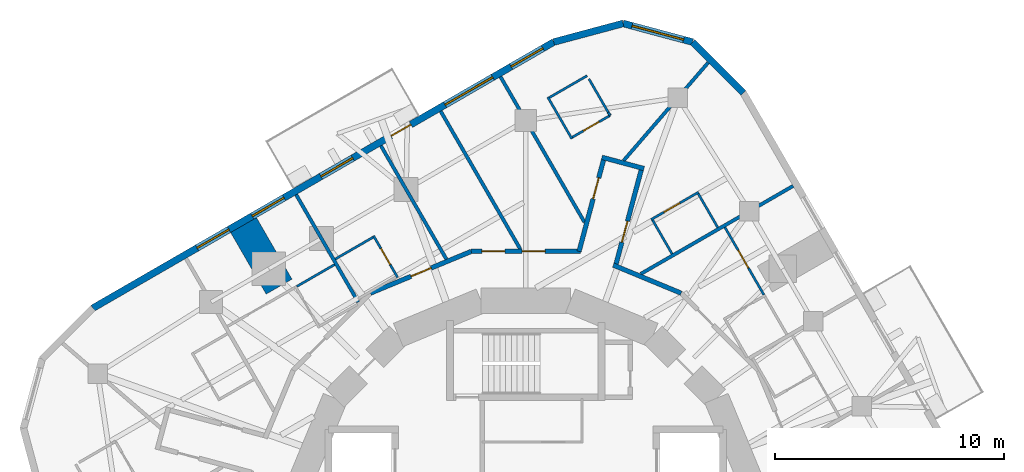
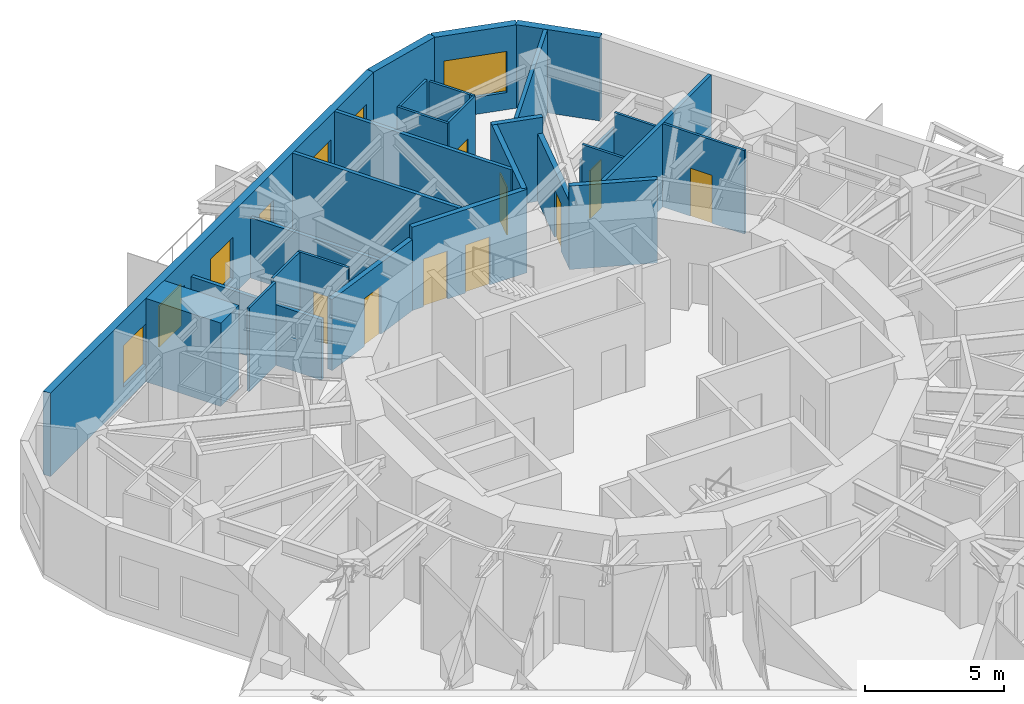
# One storey, part 9 of 12: 29 walls, 10 doors, 6 windows, 16 openings.
"""IFC4 building model written with IfcOpenShell, lengths in metres."""

import ifcopenshell
import ifcopenshell.guid

model = None  # the IFC model being written
_history = None  # IfcOwnerHistory: only IFC2X3 demands one
_inside = {}  # id of a spatial element -> (the spatial element, [elements in it])
_under = {}  # id of a project, library or spatial element -> (it, [spatial elements below it])
_declared = {}  # id of a project -> (the project, [libraries it declares])
_typed = {}  # id of a type object -> (the type object, [elements of that type])
_made_of = {}  # id of a material, layer set ... -> (it, [elements and type objects made of it])


def new_model(schema):
    """Start an empty IFC model of exactly this schema.

    Asked for "IFC4X3", IfcOpenShell would pick the latest addendum, in which some entities
    have other attributes; the version numbers below select the first issue.
    IFC2X3 requires an IfcOwnerHistory on every rooted entity: one is made here for all.
    """
    global model, _history
    if schema == "IFC4X3":
        model = ifcopenshell.file(schema_version=(4, 3, 0, 0))
    else:
        model = ifcopenshell.file(schema=schema)
    _inside.clear()
    _under.clear()
    _declared.clear()
    _typed.clear()
    _made_of.clear()
    _history = None
    if model.schema == "IFC2X3":
        org = make("IfcOrganization", Name="unknown")
        user = make(
            "IfcPersonAndOrganization",
            ThePerson=make("IfcPerson", FamilyName="unknown"),
            TheOrganization=org,
        )
        app = make(
            "IfcApplication",
            ApplicationDeveloper=org,
            Version="unknown",
            ApplicationFullName="unknown",
            ApplicationIdentifier="unknown",
        )
        _history = make(
            "IfcOwnerHistory",
            OwningUser=user,
            OwningApplication=app,
            ChangeAction="ADDED",
            CreationDate=0,
        )
    return model


def make(cls, **values):
    """One entity of the class cls with the attributes given. An attribute that is None is left unset."""
    return model.create_entity(
        cls, **{name: value for name, value in values.items() if value is not None}
    )


def rooted(cls, **values):
    """An entity with a GlobalId (a new one), such as an element, a storey or a relation."""
    return make(cls, GlobalId=ifcopenshell.guid.new(), OwnerHistory=_history, **values)


def si_unit(unit_type, name, prefix=None):
    """IfcSIUnit, for example si_unit("LENGTHUNIT", "METRE", prefix="MILLI")."""
    return make("IfcSIUnit", UnitType=unit_type, Prefix=prefix, Name=name)


def assignment(units):
    """IfcUnitAssignment: the units of a project."""
    return None if units is None else make("IfcUnitAssignment", Units=units)


def point(xyz):
    """IfcCartesianPoint."""
    return None if xyz is None else make("IfcCartesianPoint", Coordinates=xyz)


def direction(xyz):
    """IfcDirection."""
    return None if xyz is None else make("IfcDirection", DirectionRatios=xyz)


def frame(location, z_axis=None, x_axis=None):
    """IfcAxis2Placement3D, a coordinate frame: its origin and axes. An axis left out is left unset."""
    return make(
        "IfcAxis2Placement3D",
        Location=point(location),
        Axis=direction(z_axis),
        RefDirection=direction(x_axis),
    )


def frame_2d(location, x_axis=None):
    """IfcAxis2Placement2D, a coordinate frame in the plane: its origin and x axis."""
    return make(
        "IfcAxis2Placement2D", Location=point(location), RefDirection=direction(x_axis)
    )


def origin():
    """The frame at (0, 0, 0) with its axes left unset."""
    return frame((0.0, 0.0, 0.0))


def place(relative_to, where):
    """IfcLocalPlacement: puts the frame where relative to a parent placement (None: the world)."""
    return make(
        "IfcLocalPlacement", PlacementRelTo=relative_to, RelativePlacement=where
    )


def context(
    kind, dimensions, precision=None, world=None, true_north=None, identifier=None
):
    """IfcGeometricRepresentationContext, for example the 3D "Model" context."""
    return make(
        "IfcGeometricRepresentationContext",
        ContextIdentifier=identifier,
        ContextType=kind,
        CoordinateSpaceDimension=dimensions,
        Precision=precision,
        WorldCoordinateSystem=world,
        TrueNorth=true_north,
    )


def subcontext(parent, identifier, kind, view, scale=None):
    """IfcGeometricRepresentationSubContext, for example "Body" below "Model"."""
    return make(
        "IfcGeometricRepresentationSubContext",
        ContextIdentifier=identifier,
        ContextType=kind,
        ParentContext=parent,
        TargetScale=scale,
        TargetView=view,
    )


def project(units=None, contexts=None):
    """IfcProject with its units and contexts."""
    return rooted(
        "IfcProject",
        Name="project",
        RepresentationContexts=contexts,
        UnitsInContext=assignment(units),
    )


def spatial(cls, under=None, at=None, **own):
    """A site, building, storey or space (cls), placed at a placement, below another one or the project."""
    s = rooted(cls, ObjectPlacement=at, **own)
    if under is not None:
        _under.setdefault(under.id(), (under, []))[1].append(s)
    return s


def profile(cls, at=None, kind="AREA", **sizes):
    """A parametric profile (cls). Its sizes go by their IFC names, for example OverallWidth=200.0."""
    return make(cls, ProfileType=kind, Position=at, **sizes)


def rectangle(**sizes):
    """IfcRectangleProfileDef."""
    return profile("IfcRectangleProfileDef", **sizes)


def extrude(swept, where, along, depth):
    """IfcExtrudedAreaSolid: the profile swept, set in the frame where, extruded along a direction by depth."""
    return make(
        "IfcExtrudedAreaSolid",
        SweptArea=swept,
        Position=where,
        ExtrudedDirection=direction(along),
        Depth=depth,
    )


def shape(context_of_items, identifier, shape_type, items):
    """IfcShapeRepresentation: the items that make up one representation, for example the "Body"."""
    return make(
        "IfcShapeRepresentation",
        ContextOfItems=context_of_items,
        RepresentationIdentifier=identifier,
        RepresentationType=shape_type,
        Items=items,
    )


def material(Name=None, Category=None):
    """IfcMaterial."""
    return make("IfcMaterial", Name=Name, Category=Category)


def layer(
    of_material, thickness, ventilated=None, Name=None, Category=None, Priority=None
):
    """IfcMaterialLayer: one layer of a wall or slab, of a material (None: an air gap)."""
    return make(
        "IfcMaterialLayer",
        Material=of_material,
        LayerThickness=thickness,
        IsVentilated=ventilated,
        Name=Name,
        Category=Category,
        Priority=Priority,
    )


def layer_set(layers, Name=None):
    """IfcMaterialLayerSet."""
    return make("IfcMaterialLayerSet", MaterialLayers=layers, LayerSetName=Name)


def made_of(thing, what):
    """Note that an element or type object is made of a material, layer set ...; save() writes the relation."""
    if what is not None:
        _made_of.setdefault(what.id(), (what, []))[1].append(thing)
    return thing


def type_object(cls, material=None, **own):
    """A type object (cls), such as IfcWallType, which elements share."""
    return made_of(rooted(cls, **own), material)


def element(
    cls,
    number,
    at=None,
    inside=None,
    cuts=None,
    type_object=None,
    material=None,
    context=None,
    identifier="Body",
    shape_type=None,
    held_by="IfcProductDefinitionShape",
    body=None,
    shapes=None,
    **own,
):
    """One element of the class cls, such as IfcWall. Its Tag is "e" and its number.

    at: its placement. inside: the storey or other place that contains it. cuts: it is an
    opening in that element (IfcRelVoidsElement). A single representation is given by context,
    identifier, shape_type and body (its items); several are given by shapes. held_by: the class
    of the entity that holds the representations. save() writes the other relations.
    """
    e = rooted(cls, Tag="e%d" % number, ObjectPlacement=at, **own)
    if body is not None:
        shapes = [shape(context, identifier, shape_type, body)]
    if shapes is not None:
        e.Representation = make(held_by, Representations=shapes)
    if inside is not None:
        _inside.setdefault(inside.id(), (inside, []))[1].append(e)
    if cuts is not None:
        rooted(
            "IfcRelVoidsElement", RelatingBuildingElement=cuts, RelatedOpeningElement=e
        )
    if type_object is not None:
        _typed.setdefault(type_object.id(), (type_object, []))[1].append(e)
    return made_of(e, material)


def fill(opening, filler):
    """IfcRelFillsElement: the door or window that sits in an opening."""
    return rooted(
        "IfcRelFillsElement",
        RelatingOpeningElement=opening,
        RelatedBuildingElement=filler,
    )


def aggregate(whole, parts):
    """IfcRelAggregates: a whole, such as a stair, and the parts it consists of."""
    return rooted("IfcRelAggregates", RelatingObject=whole, RelatedObjects=parts)


def save(model, path):
    """Write the relations noted so far, then the file.

    IfcRelAggregates (storeys below a building ...), IfcRelContainedInSpatialStructure (elements
    in a storey), IfcRelDefinesByType, IfcRelAssociatesMaterial and IfcRelDeclares: one each for
    every whole, place, type object, material and project.
    """
    for whole, parts in _under.values():
        aggregate(whole, parts)
    for where, things in _inside.values():
        rooted(
            "IfcRelContainedInSpatialStructure",
            RelatedElements=things,
            RelatingStructure=where,
        )
    for kind, things in _typed.values():
        rooted("IfcRelDefinesByType", RelatedObjects=things, RelatingType=kind)
    for what, things in _made_of.values():
        rooted("IfcRelAssociatesMaterial", RelatedObjects=things, RelatingMaterial=what)
    for by, libraries in _declared.values():
        rooted("IfcRelDeclares", RelatingContext=by, RelatedDefinitions=libraries)
    model.write(path)


model = new_model("IFC4")

# Units and contexts
model_context = context("Model", 3, precision=1e-05, world=origin(), true_north=direction((0.0, 1.0)))
body_context = subcontext(model_context, "Body", "Model", "MODEL_VIEW")
ifc_project = project(units=[si_unit("LENGTHUNIT", "METRE"), si_unit("AREAUNIT", "SQUARE_METRE"), si_unit("VOLUMEUNIT", "CUBIC_METRE"), si_unit("PLANEANGLEUNIT", "RADIAN"), si_unit("MASSUNIT", "GRAM", prefix="KILO")], contexts=[model_context])

# Site, building, storey
site_placement = place(None, origin())
site = spatial("IfcSite", under=ifc_project, at=site_placement, CompositionType="ELEMENT")
building_placement = place(site_placement, origin())
building = spatial("IfcBuilding", under=site, at=building_placement, Name="Nakasero Lantern House", CompositionType="ELEMENT")
storey_placement = place(building_placement, frame((0.0, 0.0, 226.949951171875)))
storey = spatial("IfcBuildingStorey", under=building, at=storey_placement, Name="L55", CompositionType="ELEMENT", Elevation=226.949951171875)

# Wall
ifc_material_1 = material(Name="Blockwork", Category="masonry")
ifc_layer_1 = layer(ifc_material_1, 1.300048828125)
ifc_layer_set_1 = layer_set([ifc_layer_1], Name="Column pier 1300")
wall_type_1 = type_object("IfcWallType", Name="Column pier 1300", PredefinedType="PARTITIONING", material=ifc_layer_set_1)
wall_1_placement = place(storey_placement, frame((-10.75048828125, 10.4208984375, 0.0), z_axis=(0.0, 0.0, 1.0), x_axis=(-0.499933790963, 0.866063626216, 0.0)))
element("IfcWall", 1, at=wall_1_placement, inside=storey, type_object=wall_type_1, Name="Column pier L55 PN1-05", PredefinedType="PARTITIONING", context=body_context, shape_type="SweptSolid", body=[
    extrude(rectangle(XDim=3.10009765625, YDim=1.300048828125, at=frame_2d((1.550048828125, 0.0))), origin(), (0.0, 0.0, 1.0), 3.650146484375),
])

# Wall, opening, door
ifc_material_2 = material(Name="Blockwork", Category="masonry")
ifc_layer_2 = layer(ifc_material_2, 0.199951171875)
ifc_layer_set_2 = layer_set([ifc_layer_2], Name="Corridor wall 200")
wall_type_2 = type_object("IfcWallType", Name="Corridor wall 200", PredefinedType="PARTITIONING", material=ifc_layer_set_2)
wall_2_placement = place(storey_placement, frame((-6.773681640625, 10.137451171875, 0.0), z_axis=(0.0, 0.0, 1.0), x_axis=(0.923891735412, 0.382653970627, 0.0)))
wall_2 = element("IfcWall", 2, at=wall_2_placement, inside=storey, type_object=wall_type_2, Name="Corridor wall L55 RC11a", PredefinedType="PARTITIONING", context=body_context, shape_type="SweptSolid", body=[
    extrude(rectangle(XDim=4.757080078125, YDim=0.199951171875, at=frame_2d((2.37841796875, 0.0))), origin(), (0.0, 0.0, 1.0), 3.11328125),
])
opening_1_placement = place(wall_2_placement, frame((1.919921875, 0.0, 0.0)))
opening_1 = element("IfcOpeningElement", 3, at=opening_1_placement, cuts=wall_2, Name="Opening D01", PredefinedType="OPENING", context=body_context, shape_type="SweptSolid", body=[
    extrude(rectangle(XDim=0.949951171875, YDim=2.10009765625, at=frame_2d((0.47509765625, 1.050048828125))), frame((0.0, 0.119873046875, 0.0), z_axis=(0.0, -1.0, 0.0), x_axis=(1.0, 0.0, 0.0)), (0.0, 0.0, 1.0), 0.239990234375),
])
ifc_material_3 = material(Name="Timber C24", Category="wood")
door_type_1 = type_object("IfcDoorType", Name="Bedroom door FD30S 950", OperationType="SINGLE_SWING_LEFT", PredefinedType="DOOR", material=ifc_material_3)
door_1_placement = place(opening_1_placement, origin())
door_1 = element("IfcDoor", 4, at=door_1_placement, inside=storey, type_object=door_type_1, Name="Door L55 D1-03", OperationType="SINGLE_SWING_RIGHT", OverallHeight=2.10009765625, OverallWidth=0.949951171875, PredefinedType="DOOR", context=body_context, shape_type="SweptSolid", body=[
    extrude(rectangle(XDim=0.949951171875, YDim=2.10009765625, at=frame_2d((0.47509765625, 1.050048828125))), frame((0.0, 0.02490234375, 0.0), z_axis=(0.0, -1.0, 0.0), x_axis=(1.0, 0.0, 0.0)), (0.0, 0.0, 1.0), 0.050048828125),
])
fill(opening_1, door_1)

# Wall, openings, doors
wall_3_placement = place(storey_placement, frame((-2.378662109375, 11.957763671875, 0.0), z_axis=(0.0, 0.0, 1.0), x_axis=(1.0, 0.0, 0.0)))
wall_3 = element("IfcWall", 5, at=wall_3_placement, inside=storey, type_object=wall_type_2, Name="Corridor wall L55 RC12a", PredefinedType="PARTITIONING", context=body_context, shape_type="SweptSolid", body=[
    extrude(rectangle(XDim=4.75732421875, YDim=0.199951171875, at=frame_2d((2.378662109375, 0.0))), origin(), (0.0, 0.0, 1.0), 3.650146484375),
])
opening_2_placement = place(wall_3_placement, frame((2.219970703125, 0.0, 0.0)))
opening_2 = element("IfcOpeningElement", 6, at=opening_2_placement, cuts=wall_3, Name="Opening D03", PredefinedType="OPENING", context=body_context, shape_type="SweptSolid", body=[
    extrude(rectangle(XDim=1.0, YDim=2.10009765625, at=frame_2d((0.5, 1.050048828125))), frame((0.0, 0.119873046875, 0.0), z_axis=(0.0, -1.0, 0.0), x_axis=(1.0, 0.0, 0.0)), (0.0, 0.0, 1.0), 0.239990234375),
])
opening_3_placement = place(wall_3_placement, frame((0.469970703125, 0.0, 0.0)))
opening_3 = element("IfcOpeningElement", 7, at=opening_3_placement, cuts=wall_3, Name="Opening D03", PredefinedType="OPENING", context=body_context, shape_type="SweptSolid", body=[
    extrude(rectangle(XDim=1.0, YDim=2.10009765625, at=frame_2d((0.5, 1.050048828125))), frame((0.0, 0.119873046875, 0.0), z_axis=(0.0, -1.0, 0.0), x_axis=(1.0, 0.0, 0.0)), (0.0, 0.0, 1.0), 0.239990234375),
])
ifc_material_4 = material(Name="Timber C24", Category="wood")
door_type_2 = type_object("IfcDoorType", Name="Lounge door FD30S 1000", OperationType="SINGLE_SWING_LEFT", PredefinedType="DOOR", material=ifc_material_4)
door_2_placement = place(opening_2_placement, origin())
door_2 = element("IfcDoor", 8, at=door_2_placement, inside=storey, type_object=door_type_2, Name="Door L55 DK1", OperationType="SINGLE_SWING_RIGHT", OverallHeight=2.10009765625, OverallWidth=1.0, PredefinedType="DOOR", context=body_context, shape_type="SweptSolid", body=[
    extrude(rectangle(XDim=1.0, YDim=2.10009765625, at=frame_2d((0.5, 1.050048828125))), frame((0.0, 0.02490234375, 0.0), z_axis=(0.0, -1.0, 0.0), x_axis=(1.0, 0.0, 0.0)), (0.0, 0.0, 1.0), 0.050048828125),
])
fill(opening_2, door_2)
door_3_placement = place(opening_3_placement, origin())
door_3 = element("IfcDoor", 9, at=door_3_placement, inside=storey, type_object=door_type_2, Name="Door L55 DK1-1", OperationType="SINGLE_SWING_LEFT", OverallHeight=2.10009765625, OverallWidth=1.0, PredefinedType="DOOR", context=body_context, shape_type="SweptSolid", body=[
    extrude(rectangle(XDim=1.0, YDim=2.10009765625, at=frame_2d((0.5, 1.050048828125))), frame((0.0, 0.02490234375, 0.0), z_axis=(0.0, -1.0, 0.0), x_axis=(1.0, 0.0, 0.0)), (0.0, 0.0, 1.0), 0.050048828125),
])
fill(opening_3, door_3)

# Wall
wall_4_placement = place(storey_placement, frame((3.820556640625, 11.360595703125, 0.0), z_axis=(0.0, 0.0, 1.0), x_axis=(0.923888369431, -0.382662097458, 0.0)))
element("IfcWall", 10, at=wall_4_placement, inside=storey, type_object=wall_type_2, Name="Corridor wall L55 RC13b", PredefinedType="PARTITIONING", context=body_context, shape_type="SweptSolid", body=[
    extrude(rectangle(XDim=3.1962890625, YDim=0.199951171875, at=frame_2d((1.59814453125, 0.0))), origin(), (0.0, 0.0, 1.0), 3.650146484375),
])

# Wall, opening, door
wall_5_placement = place(storey_placement, frame((3.913818359375, 11.322021484375, 0.0), z_axis=(0.0, 0.0, 1.0), x_axis=(0.258777439659, 0.965936973474, 0.0)))
wall_5 = element("IfcWall", 11, at=wall_5_placement, inside=storey, type_object=wall_type_2, Name="Corridor wall L55 SP0a", PredefinedType="PARTITIONING", context=body_context, shape_type="SweptSolid", body=[
    extrude(rectangle(XDim=4.524658203125, YDim=0.199951171875, at=frame_2d((2.26220703125, 0.0))), origin(), (0.0, 0.0, 1.0), 2.95703125),
])
opening_4_placement = place(wall_5_placement, frame((1.070068359375, 0.0, 0.0)))
opening_4 = element("IfcOpeningElement", 12, at=opening_4_placement, cuts=wall_5, Name="Opening D01", PredefinedType="OPENING", context=body_context, shape_type="SweptSolid", body=[
    extrude(rectangle(XDim=0.949951171875, YDim=2.10009765625, at=frame_2d((0.47509765625, 1.050048828125))), frame((0.0, 0.119873046875, 0.0), z_axis=(0.0, -1.0, 0.0), x_axis=(1.0, 0.0, 0.0)), (0.0, 0.0, 1.0), 0.239990234375),
])
door_4_placement = place(opening_4_placement, origin())
door_4 = element("IfcDoor", 13, at=door_4_placement, inside=storey, type_object=door_type_1, Name="Door L55 D0-06", OperationType="SINGLE_SWING_LEFT", OverallHeight=2.10009765625, OverallWidth=0.949951171875, PredefinedType="DOOR", context=body_context, shape_type="SweptSolid", body=[
    extrude(rectangle(XDim=0.949951171875, YDim=2.10009765625, at=frame_2d((0.47509765625, 1.050048828125))), frame((0.0, 0.02490234375, 0.0), z_axis=(0.0, -1.0, 0.0), x_axis=(1.0, 0.0, 0.0)), (0.0, 0.0, 1.0), 0.050048828125),
])
fill(opening_4, door_4)

wall_6_placement = place(storey_placement, frame((2.32421875, 11.957763671875, 0.0), z_axis=(0.0, 0.0, 1.0), x_axis=(0.258769967576, 0.965938975236, 0.0)))
wall_6 = element("IfcWall", 14, at=wall_6_placement, inside=storey, type_object=wall_type_2, Name="Corridor wall L55 SP0b", PredefinedType="PARTITIONING", context=body_context, shape_type="SweptSolid", body=[
    extrude(rectangle(XDim=4.322021484375, YDim=0.199951171875, at=frame_2d((2.1611328125, 0.0))), origin(), (0.0, 0.0, 1.0), 3.650146484375),
])
opening_5_placement = place(wall_6_placement, frame((2.3701171875, 0.0, 0.0)))
opening_5 = element("IfcOpeningElement", 15, at=opening_5_placement, cuts=wall_6, Name="Opening D01", PredefinedType="OPENING", context=body_context, shape_type="SweptSolid", body=[
    extrude(rectangle(XDim=0.949951171875, YDim=2.10009765625, at=frame_2d((0.47509765625, 1.050048828125))), frame((0.0, 0.119873046875, 0.0), z_axis=(0.0, -1.0, 0.0), x_axis=(1.0, 0.0, 0.0)), (0.0, 0.0, 1.0), 0.239990234375),
])
door_5_placement = place(opening_5_placement, origin())
door_5 = element("IfcDoor", 16, at=door_5_placement, inside=storey, type_object=door_type_1, Name="Door L55 D1-00", OperationType="SINGLE_SWING_RIGHT", OverallHeight=2.10009765625, OverallWidth=0.949951171875, PredefinedType="DOOR", context=body_context, shape_type="SweptSolid", body=[
    extrude(rectangle(XDim=0.949951171875, YDim=2.10009765625, at=frame_2d((0.47509765625, 1.050048828125))), frame((0.0, 0.02490234375, 0.0), z_axis=(0.0, -1.0, 0.0), x_axis=(1.0, 0.0, 0.0)), (0.0, 0.0, 1.0), 0.050048828125),
])
fill(opening_5, door_5)

# Wall
wall_7_placement = place(storey_placement, frame((5.155517578125, 15.570068359375, 0.0), z_axis=(0.0, 0.0, 1.0), x_axis=(-0.96593141835, 0.258798174346, 0.0)))
element("IfcWall", 17, at=wall_7_placement, inside=storey, type_object=wall_type_2, Name="Corridor wall L55 SP0e", PredefinedType="PARTITIONING", context=body_context, shape_type="SweptSolid", body=[
    extrude(rectangle(XDim=1.89990234375, YDim=0.199951171875, at=frame_2d((0.949951171875, 0.0))), origin(), (0.0, 0.0, 1.0), 3.650146484375),
])

# Wall, opening, door
ifc_material_5 = material(Name="Blockwork", Category="masonry")
ifc_layer_3 = layer(ifc_material_5, 0.10009765625)
ifc_layer_set_3 = layer_set([ifc_layer_3], Name="En-suite wall 100")
wall_type_3 = type_object("IfcWallType", Name="En-suite wall 100", PredefinedType="PARTITIONING", material=ifc_layer_set_3)
wall_8_placement = place(storey_placement, frame((5.46044921875, 13.342041015625, 0.0), z_axis=(0.0, 0.0, 1.0), x_axis=(0.866006032174, 0.500033551112, 0.0)))
wall_8 = element("IfcWall", 18, at=wall_8_placement, inside=storey, type_object=wall_type_3, Name="En-suite wall L55 ES0-06", PredefinedType="PARTITIONING", context=body_context, shape_type="SweptSolid", body=[
    extrude(rectangle(XDim=2.400146484375, YDim=0.10009765625, at=frame_2d((1.2001953125, 0.0))), origin(), (0.0, 0.0, 1.0), 2.966552734375),
])
opening_6_placement = place(wall_8_placement, frame((0.64990234375, 0.0, 0.0)))
opening_6 = element("IfcOpeningElement", 19, at=opening_6_placement, cuts=wall_8, Name="Opening D02", PredefinedType="OPENING", context=body_context, shape_type="SweptSolid", body=[
    extrude(rectangle(XDim=0.800048828125, YDim=2.10009765625, at=frame_2d((0.39990234375, 1.050048828125))), frame((0.0, 0.070068359375, 0.0), z_axis=(0.0, -1.0, 0.0), x_axis=(1.0, 0.0, 0.0)), (0.0, 0.0, 1.0), 0.14013671875),
])
ifc_material_6 = material(Name="Timber C24", Category="wood")
door_type_3 = type_object("IfcDoorType", Name="En-suite door 800", OperationType="SINGLE_SWING_RIGHT", PredefinedType="DOOR", material=ifc_material_6)
door_6_placement = place(opening_6_placement, origin())
door_6 = element("IfcDoor", 20, at=door_6_placement, inside=storey, type_object=door_type_3, Name="Door L55 DE0-06", OperationType="SINGLE_SWING_LEFT", OverallHeight=2.10009765625, OverallWidth=0.800048828125, PredefinedType="DOOR", context=body_context, shape_type="SweptSolid", body=[
    extrude(rectangle(XDim=0.800048828125, YDim=2.10009765625, at=frame_2d((0.39990234375, 1.050048828125))), frame((0.0, 0.02490234375, 0.0), z_axis=(0.0, -1.0, 0.0), x_axis=(1.0, 0.0, 0.0)), (0.0, 0.0, 1.0), 0.050048828125),
])
fill(opening_6, door_6)

# Walls
for number, where, z_axis, x_axis, name in (
    (21, (8.37060546875, 13.001708984375, 0.0), (0.0, 0.0, 1.0), (-0.499954529098, 0.86605165483, 0.0), "En-suite wall L55 EE0-06"),
    (22, (6.37890625, 11.8515625, 0.0), (0.0, 0.0, 1.0), (-0.500062241894, 0.865989465428, 0.0), "En-suite wall L55 EI0-06"),
):
    element("IfcWall", number, at=place(storey_placement, frame(where, z_axis=z_axis, x_axis=x_axis)), inside=storey, type_object=wall_type_3, Name=name, PredefinedType="PARTITIONING", context=body_context, shape_type="SweptSolid", body=[
        extrude(rectangle(XDim=1.699951171875, YDim=0.10009765625, at=frame_2d((0.85009765625, 0.0))), origin(), (0.0, 0.0, 1.0), 3.650146484375),
    ])
wall_9_placement = place(storey_placement, frame((2.01171875, 16.865478515625, 0.0), z_axis=(0.0, 0.0, 1.0), x_axis=(-0.49994051562, 0.866059744384, 0.0)))
element("IfcWall", 23, at=wall_9_placement, inside=storey, type_object=wall_type_3, Name="En-suite wall L55 ES1-00", PredefinedType="PARTITIONING", context=body_context, shape_type="SweptSolid", body=[
    extrude(rectangle(XDim=2.099853515625, YDim=0.10009765625, at=frame_2d((1.0498046875, 0.0))), origin(), (0.0, 0.0, 1.0), 3.650146484375),
])
wall_10_placement = place(storey_placement, frame((2.675537109375, 19.61572265625, 0.0), z_axis=(0.0, 0.0, 1.0), x_axis=(-0.866044365799, -0.499967155389, 0.0)))
element("IfcWall", 24, at=wall_10_placement, inside=storey, type_object=wall_type_3, Name="En-suite wall L55 EE1-00", PredefinedType="PARTITIONING", context=body_context, shape_type="SweptSolid", body=[
    extrude(rectangle(XDim=1.900146484375, YDim=0.10009765625, at=frame_2d((0.9501953125, 0.0))), origin(), (0.0, 0.0, 1.0), 3.650146484375),
])

# Wall, opening, door
wall_11_placement = place(storey_placement, frame((3.675537109375, 17.8837890625, 0.0), z_axis=(0.0, 0.0, 1.0), x_axis=(-0.866044365799, -0.499967155389, 0.0)))
wall_11 = element("IfcWall", 25, at=wall_11_placement, inside=storey, type_object=wall_type_3, Name="En-suite wall L55 EI1-00", PredefinedType="PARTITIONING", context=body_context, shape_type="SweptSolid", body=[
    extrude(rectangle(XDim=1.900146484375, YDim=0.10009765625, at=frame_2d((0.9501953125, 0.0))), origin(), (0.0, 0.0, 1.0), 3.650146484375),
])
opening_7_placement = place(wall_11_placement, frame((0.550048828125, 0.0, 0.0)))
opening_7 = element("IfcOpeningElement", 26, at=opening_7_placement, cuts=wall_11, Name="Opening D02", PredefinedType="OPENING", context=body_context, shape_type="SweptSolid", body=[
    extrude(rectangle(XDim=0.800048828125, YDim=2.10009765625, at=frame_2d((0.39990234375, 1.050048828125))), frame((0.0, 0.070068359375, 0.0), z_axis=(0.0, -1.0, 0.0), x_axis=(1.0, 0.0, 0.0)), (0.0, 0.0, 1.0), 0.14013671875),
])
door_7_placement = place(opening_7_placement, origin())
door_7 = element("IfcDoor", 27, at=door_7_placement, inside=storey, type_object=door_type_3, Name="Door L55 DE1-00", OperationType="SINGLE_SWING_RIGHT", OverallHeight=2.10009765625, OverallWidth=0.800048828125, PredefinedType="DOOR", context=body_context, shape_type="SweptSolid", body=[
    extrude(rectangle(XDim=0.800048828125, YDim=2.10009765625, at=frame_2d((0.39990234375, 1.050048828125))), frame((0.0, 0.02490234375, 0.0), z_axis=(0.0, -1.0, 0.0), x_axis=(1.0, 0.0, 0.0)), (0.0, 0.0, 1.0), 0.050048828125),
])
fill(opening_7, door_7)

wall_12_placement = place(storey_placement, frame((-5.586669921875, 10.82470703125, 0.0), z_axis=(0.0, 0.0, 1.0), x_axis=(-0.500027713859, 0.866009402589, 0.0)))
wall_12 = element("IfcWall", 28, at=wall_12_placement, inside=storey, type_object=wall_type_3, Name="En-suite wall L55 ES1-03", PredefinedType="PARTITIONING", context=body_context, shape_type="SweptSolid", body=[
    extrude(rectangle(XDim=2.10009765625, YDim=0.10009765625, at=frame_2d((1.050048828125, 0.0))), origin(), (0.0, 0.0, 1.0), 3.650146484375),
])
opening_8_placement = place(wall_12_placement, frame((0.64990234375, 0.0, 0.0)))
opening_8 = element("IfcOpeningElement", 29, at=opening_8_placement, cuts=wall_12, Name="Opening D02", PredefinedType="OPENING", context=body_context, shape_type="SweptSolid", body=[
    extrude(rectangle(XDim=0.800048828125, YDim=2.10009765625, at=frame_2d((0.39990234375, 1.050048828125))), frame((0.0, 0.070068359375, 0.0), z_axis=(0.0, -1.0, 0.0), x_axis=(1.0, 0.0, 0.0)), (0.0, 0.0, 1.0), 0.14013671875),
])
door_8_placement = place(opening_8_placement, origin())
door_8 = element("IfcDoor", 30, at=door_8_placement, inside=storey, type_object=door_type_3, Name="Door L55 DE1-03", OperationType="SINGLE_SWING_RIGHT", OverallHeight=2.10009765625, OverallWidth=0.800048828125, PredefinedType="DOOR", context=body_context, shape_type="SweptSolid", body=[
    extrude(rectangle(XDim=0.800048828125, YDim=2.10009765625, at=frame_2d((0.39990234375, 1.050048828125))), frame((0.0, 0.02490234375, 0.0), z_axis=(0.0, -1.0, 0.0), x_axis=(1.0, 0.0, 0.0)), (0.0, 0.0, 1.0), 0.050048828125),
])
fill(opening_8, door_8)

# Walls
wall_13_placement = place(storey_placement, frame((-6.655029296875, 12.574951171875, 0.0), z_axis=(0.0, 0.0, 1.0), x_axis=(-0.866044365799, -0.499967155389, 0.0)))
element("IfcWall", 31, at=wall_13_placement, inside=storey, type_object=wall_type_3, Name="En-suite wall L55 EE1-03", PredefinedType="PARTITIONING", context=body_context, shape_type="SweptSolid", body=[
    extrude(rectangle(XDim=1.900146484375, YDim=0.10009765625, at=frame_2d((0.9501953125, 0.0))), origin(), (0.0, 0.0, 1.0), 3.650146484375),
])
wall_14_placement = place(storey_placement, frame((-8.333740234375, 11.382568359375, 0.0), z_axis=(0.0, 0.0, 1.0), x_axis=(-0.86601224135, -0.500022797313, 0.0)))
element("IfcWall", 32, at=wall_14_placement, inside=storey, type_object=wall_type_3, Name="En-suite wall L55 EE1-04", PredefinedType="PARTITIONING", context=body_context, shape_type="SweptSolid", body=[
    extrude(rectangle(XDim=1.89990234375, YDim=0.10009765625, at=frame_2d((0.949951171875, 0.0))), origin(), (0.0, 0.0, 1.0), 3.650146484375),
])

# Wall, opening, door
wall_15_placement = place(storey_placement, frame((10.382568359375, 10.065673828125, 0.0), z_axis=(0.0, 0.0, 1.0), x_axis=(-0.500002290144, 0.866024081565, 0.0)))
wall_15 = element("IfcWall", 33, at=wall_15_placement, inside=storey, type_object=wall_type_3, Name="En-suite wall L55 EL0-04", PredefinedType="PARTITIONING", context=body_context, shape_type="SweptSolid", body=[
    extrude(rectangle(XDim=3.3984375, YDim=0.10009765625, at=frame_2d((1.69921875, 0.0))), origin(), (0.0, 0.0, 1.0), 3.650146484375),
])
opening_9_placement = place(wall_15_placement, frame((1.35009765625, 0.0, 0.0)))
opening_9 = element("IfcOpeningElement", 34, at=opening_9_placement, cuts=wall_15, Name="Opening D17", PredefinedType="OPENING", context=body_context, shape_type="SweptSolid", body=[
    extrude(rectangle(XDim=0.89990234375, YDim=2.10009765625, at=frame_2d((0.449951171875, 1.050048828125))), frame((0.0, 0.070068359375, 0.0), z_axis=(0.0, -1.0, 0.0), x_axis=(1.0, 0.0, 0.0)), (0.0, 0.0, 1.0), 0.14013671875),
])
ifc_material_7 = material(Name="Timber C24", Category="wood")
door_type_4 = type_object("IfcDoorType", Name="Bedroom door FD30S 900", OperationType="SINGLE_SWING_LEFT", PredefinedType="DOOR", material=ifc_material_7)
door_9_placement = place(opening_9_placement, origin())
door_9 = element("IfcDoor", 35, at=door_9_placement, inside=storey, type_object=door_type_4, Name="Door L55 DL0-04", OperationType="SINGLE_SWING_RIGHT", OverallHeight=2.10009765625, OverallWidth=0.89990234375, PredefinedType="DOOR", context=body_context, shape_type="SweptSolid", body=[
    extrude(rectangle(XDim=0.89990234375, YDim=2.10009765625, at=frame_2d((0.449951171875, 1.050048828125))), frame((0.0, 0.02490234375, 0.0), z_axis=(0.0, -1.0, 0.0), x_axis=(1.0, 0.0, 0.0)), (0.0, 0.0, 1.0), 0.050048828125),
])
fill(opening_9, door_9)

# Walls
wall_16_placement = place(storey_placement, frame((3.595458984375, 18.022216796875, 0.0), z_axis=(0.0, 0.0, 1.0), x_axis=(-0.499890179513, 0.866088799389, 0.0)))
element("IfcWall", 36, at=wall_16_placement, inside=storey, type_object=wall_type_3, Name="En-suite wall L55 EX001", PredefinedType="PARTITIONING", context=body_context, shape_type="SweptSolid", body=[
    extrude(rectangle(XDim=1.68017578125, YDim=0.10009765625, at=frame_2d((0.840087890625, 0.0))), origin(), (0.0, 0.0, 1.0), 3.650146484375),
])
wall_17_placement = place(storey_placement, frame((3.675537109375, 17.8837890625, 0.0), z_axis=(0.0, 0.0, 1.0), x_axis=(-0.500735348028, 0.865600433939, 0.0)))
element("IfcWall", 37, at=wall_17_placement, inside=storey, type_object=wall_type_3, Name="En-suite wall L55 EI1-00R0", PredefinedType="PARTITIONING", context=body_context, shape_type="SweptSolid", body=[
    extrude(rectangle(XDim=0.159912109375, YDim=0.10009765625, at=frame_2d((0.080078125, 0.0))), origin(), (0.0, 0.0, 1.0), 3.650146484375),
])
ifc_material_8 = material(Name="Aluminium rainscreen on blockwork", Category="masonry")
ifc_layer_4 = layer(ifc_material_8, 0.300048828125)
ifc_layer_set_4 = layer_set([ifc_layer_4], Name="Facade wall 300")
wall_type_4 = type_object("IfcWallType", Name="Facade wall 300", PredefinedType="SOLIDWALL", material=ifc_layer_set_4)
wall_18_placement = place(storey_placement, frame((9.4853515625, 18.870849609375, 0.0), z_axis=(0.0, 0.0, 1.0), x_axis=(-0.707067801733, 0.707145758492, 0.0)))
element("IfcWall", 38, at=wall_18_placement, inside=storey, type_object=wall_type_4, Name="Facade wall L55 FW0C1", PredefinedType="SOLIDWALL", context=body_context, shape_type="SweptSolid", body=[
    extrude(rectangle(XDim=3.1318359375, YDim=0.300048828125, at=frame_2d((1.56591796875, 0.0))), origin(), (0.0, 0.0, 1.0), 3.650146484375),
])

# Wall, opening, window
wall_19_placement = place(storey_placement, frame((7.27099609375, 21.08544921875, 0.0), z_axis=(0.0, 0.0, 1.0), x_axis=(-0.965928914048, 0.258807521156, 0.0)))
wall_19 = element("IfcWall", 39, at=wall_19_placement, inside=storey, type_object=wall_type_4, Name="Facade wall L55 FW0C2", PredefinedType="SOLIDWALL", context=body_context, shape_type="SweptSolid", body=[
    extrude(rectangle(XDim=3.1318359375, YDim=0.300048828125, at=frame_2d((1.56591796875, 0.0))), origin(), (0.0, 0.0, 1.0), 3.650146484375),
])
opening_10_placement = place(wall_19_placement, frame((0.39990234375, 0.0, 0.75)))
opening_10 = element("IfcOpeningElement", 40, at=opening_10_placement, cuts=wall_19, Name="Opening W223", PredefinedType="OPENING", context=body_context, shape_type="SweptSolid", body=[
    extrude(rectangle(XDim=2.33203125, YDim=1.800048828125, at=frame_2d((1.166015625, 0.89990234375))), frame((0.0, 0.169921875, 0.0), z_axis=(0.0, -1.0, 0.0), x_axis=(1.0, 0.0, 0.0)), (0.0, 0.0, 1.0), 0.340087890625),
])
ifc_material_9 = material(Name="Aluminium 6063-T6 and glass", Category="aluminium")
window_type_1 = type_object("IfcWindowType", Name="Corner window 2332x1800", PartitioningType="SINGLE_PANEL", PredefinedType="WINDOW", material=ifc_material_9)
window_1_placement = place(opening_10_placement, origin())
window_1 = element("IfcWindow", 41, at=window_1_placement, inside=storey, type_object=window_type_1, Name="Window L55 WC0", OverallHeight=1.800048828125, OverallWidth=2.33203125, PartitioningType="SINGLE_PANEL", PredefinedType="WINDOW", context=body_context, shape_type="SweptSolid", body=[
    extrude(rectangle(XDim=2.33203125, YDim=1.800048828125, at=frame_2d((1.166015625, 0.89990234375))), frame((0.0, 0.030029296875, 0.0), z_axis=(0.0, -1.0, 0.0), x_axis=(1.0, 0.0, 0.0)), (0.0, 0.0, 1.0), 0.06005859375),
])
fill(opening_10, window_1)

# Wall
wall_20_placement = place(storey_placement, frame((4.245849609375, 21.89599609375, 0.0), z_axis=(0.0, 0.0, 1.0), x_axis=(-0.96592369199, -0.258827010283, 0.0)))
element("IfcWall", 42, at=wall_20_placement, inside=storey, type_object=wall_type_4, Name="Facade wall L55 FW0C3", PredefinedType="SOLIDWALL", context=body_context, shape_type="SweptSolid", body=[
    extrude(rectangle(XDim=3.131591796875, YDim=0.300048828125, at=frame_2d((1.56591796875, 0.0))), origin(), (0.0, 0.0, 1.0), 3.650146484375),
])

# Wall, openings, door, windows
wall_21_placement = place(storey_placement, frame((1.220947265625, 21.08544921875, 0.0), z_axis=(0.0, 0.0, 1.0), x_axis=(-0.86602366199, -0.500003016864, 0.0)))
wall_21 = element("IfcWall", 43, at=wall_21_placement, inside=storey, type_object=wall_type_4, Name="Facade wall L55 FW1S", PredefinedType="SOLIDWALL", context=body_context, shape_type="SweptSolid", body=[
    extrude(rectangle(XDim=23.199951171875, YDim=0.300048828125, at=frame_2d((11.60009765625, 0.0))), origin(), (0.0, 0.0, 1.0), 3.650146484375),
])
opening_11_placement = place(wall_21_placement, frame((0.5458984375, 0.0, 0.75)))
opening_11 = element("IfcOpeningElement", 44, at=opening_11_placement, cuts=wall_21, Name="Opening W01", PredefinedType="OPENING", context=body_context, shape_type="SweptSolid", body=[
    extrude(rectangle(XDim=1.60009765625, YDim=1.800048828125, at=frame_2d((0.800048828125, 0.89990234375))), frame((0.0, 0.169921875, 0.0), z_axis=(0.0, -1.0, 0.0), x_axis=(1.0, 0.0, 0.0)), (0.0, 0.0, 1.0), 0.340087890625),
])
opening_12_placement = place(wall_21_placement, frame((10.11767578125, 0.0, 0.75)))
opening_12 = element("IfcOpeningElement", 45, at=opening_12_placement, cuts=wall_21, Name="Opening W01", PredefinedType="OPENING", context=body_context, shape_type="SweptSolid", body=[
    extrude(rectangle(XDim=1.60009765625, YDim=1.800048828125, at=frame_2d((0.800048828125, 0.89990234375))), frame((0.0, 0.169921875, 0.0), z_axis=(0.0, -1.0, 0.0), x_axis=(1.0, 0.0, 0.0)), (0.0, 0.0, 1.0), 0.340087890625),
])
opening_13_placement = place(wall_21_placement, frame((13.5751953125, 0.0, 0.75)))
opening_13 = element("IfcOpeningElement", 46, at=opening_13_placement, cuts=wall_21, Name="Opening W01", PredefinedType="OPENING", context=body_context, shape_type="SweptSolid", body=[
    extrude(rectangle(XDim=1.60009765625, YDim=1.800048828125, at=frame_2d((0.800048828125, 0.89990234375))), frame((0.0, 0.169921875, 0.0), z_axis=(0.0, -1.0, 0.0), x_axis=(1.0, 0.0, 0.0)), (0.0, 0.0, 1.0), 0.340087890625),
])
opening_14_placement = place(wall_21_placement, frame((16.349609375, 0.0, 0.75)))
opening_14 = element("IfcOpeningElement", 47, at=opening_14_placement, cuts=wall_21, Name="Opening W01", PredefinedType="OPENING", context=body_context, shape_type="SweptSolid", body=[
    extrude(rectangle(XDim=1.60009765625, YDim=1.800048828125, at=frame_2d((0.800048828125, 0.89990234375))), frame((0.0, 0.169921875, 0.0), z_axis=(0.0, -1.0, 0.0), x_axis=(1.0, 0.0, 0.0)), (0.0, 0.0, 1.0), 0.340087890625),
])
opening_15_placement = place(wall_21_placement, frame((3.071044921875, 0.0, 0.75)))
opening_15 = element("IfcOpeningElement", 48, at=opening_15_placement, cuts=wall_21, Name="Opening W03", PredefinedType="OPENING", context=body_context, shape_type="SweptSolid", body=[
    extrude(rectangle(XDim=2.39990234375, YDim=1.800048828125, at=frame_2d((1.199951171875, 0.89990234375))), frame((0.0, 0.169921875, 0.0), z_axis=(0.0, -1.0, 0.0), x_axis=(1.0, 0.0, 0.0)), (0.0, 0.0, 1.0), 0.340087890625),
])
opening_16_placement = place(wall_21_placement, frame((7.1904296875, 0.0, 0.0)))
opening_16 = element("IfcOpeningElement", 49, at=opening_16_placement, cuts=wall_21, Name="Opening D04", PredefinedType="OPENING", context=body_context, shape_type="SweptSolid", body=[
    extrude(rectangle(XDim=1.0, YDim=2.39990234375, at=frame_2d((0.5, 1.199951171875))), frame((0.0, 0.169921875, 0.0), z_axis=(0.0, -1.0, 0.0), x_axis=(1.0, 0.0, 0.0)), (0.0, 0.0, 1.0), 0.340087890625),
])
ifc_material_10 = material(Name="Aluminium 6063-T6 and glass", Category="aluminium")
door_type_5 = type_object("IfcDoorType", Name="Balcony door 1000x2400", OperationType="SINGLE_SWING_RIGHT", PredefinedType="DOOR", material=ifc_material_10)
door_10_placement = place(opening_16_placement, origin())
door_10 = element("IfcDoor", 50, at=door_10_placement, inside=storey, type_object=door_type_5, Name="Balcony door L55 DB1", OperationType="SINGLE_SWING_RIGHT", OverallHeight=2.39990234375, OverallWidth=1.0, PredefinedType="DOOR", context=body_context, shape_type="SweptSolid", body=[
    extrude(rectangle(XDim=1.0, YDim=2.39990234375, at=frame_2d((0.5, 1.199951171875))), frame((0.0, 0.02490234375, 0.0), z_axis=(0.0, -1.0, 0.0), x_axis=(1.0, 0.0, 0.0)), (0.0, 0.0, 1.0), 0.050048828125),
])
fill(opening_16, door_10)
ifc_material_11 = material(Name="Aluminium 6063-T6 and glass", Category="aluminium")
window_type_2 = type_object("IfcWindowType", Name="Bedroom window 1600x1800", PartitioningType="SINGLE_PANEL", PredefinedType="WINDOW", material=ifc_material_11)
window_2_placement = place(opening_11_placement, origin())
window_2 = element("IfcWindow", 51, at=window_2_placement, inside=storey, type_object=window_type_2, Name="Window L55 WN1-00", OverallHeight=1.800048828125, OverallWidth=1.60009765625, PartitioningType="SINGLE_PANEL", PredefinedType="WINDOW", context=body_context, shape_type="SweptSolid", body=[
    extrude(rectangle(XDim=1.60009765625, YDim=1.800048828125, at=frame_2d((0.800048828125, 0.89990234375))), frame((0.0, 0.030029296875, 0.0), z_axis=(0.0, -1.0, 0.0), x_axis=(1.0, 0.0, 0.0)), (0.0, 0.0, 1.0), 0.06005859375),
])
fill(opening_11, window_2)
window_3_placement = place(opening_12_placement, origin())
window_3 = element("IfcWindow", 52, at=window_3_placement, inside=storey, type_object=window_type_2, Name="Window L55 WN1-03", OverallHeight=1.800048828125, OverallWidth=1.60009765625, PartitioningType="SINGLE_PANEL", PredefinedType="WINDOW", context=body_context, shape_type="SweptSolid", body=[
    extrude(rectangle(XDim=1.60009765625, YDim=1.800048828125, at=frame_2d((0.800048828125, 0.89990234375))), frame((0.0, 0.030029296875, 0.0), z_axis=(0.0, -1.0, 0.0), x_axis=(1.0, 0.0, 0.0)), (0.0, 0.0, 1.0), 0.06005859375),
])
fill(opening_12, window_3)
window_4_placement = place(opening_13_placement, origin())
window_4 = element("IfcWindow", 53, at=window_4_placement, inside=storey, type_object=window_type_2, Name="Window L55 WN1-04", OverallHeight=1.800048828125, OverallWidth=1.60009765625, PartitioningType="SINGLE_PANEL", PredefinedType="WINDOW", context=body_context, shape_type="SweptSolid", body=[
    extrude(rectangle(XDim=1.60009765625, YDim=1.800048828125, at=frame_2d((0.800048828125, 0.89990234375))), frame((0.0, 0.030029296875, 0.0), z_axis=(0.0, -1.0, 0.0), x_axis=(1.0, 0.0, 0.0)), (0.0, 0.0, 1.0), 0.06005859375),
])
fill(opening_13, window_4)
window_5_placement = place(opening_14_placement, origin())
window_5 = element("IfcWindow", 54, at=window_5_placement, inside=storey, type_object=window_type_2, Name="Window L55 WN1-05", OverallHeight=1.800048828125, OverallWidth=1.60009765625, PartitioningType="SINGLE_PANEL", PredefinedType="WINDOW", context=body_context, shape_type="SweptSolid", body=[
    extrude(rectangle(XDim=1.60009765625, YDim=1.800048828125, at=frame_2d((0.800048828125, 0.89990234375))), frame((0.0, 0.030029296875, 0.0), z_axis=(0.0, -1.0, 0.0), x_axis=(1.0, 0.0, 0.0)), (0.0, 0.0, 1.0), 0.06005859375),
])
fill(opening_14, window_5)
ifc_material_12 = material(Name="Aluminium 6063-T6 and glass", Category="aluminium")
window_type_3 = type_object("IfcWindowType", Name="Lounge window 2400x1800", PartitioningType="SINGLE_PANEL", PredefinedType="WINDOW", material=ifc_material_12)
window_6_placement = place(opening_15_placement, origin())
window_6 = element("IfcWindow", 55, at=window_6_placement, inside=storey, type_object=window_type_3, Name="Window L55 WK1", OverallHeight=1.800048828125, OverallWidth=2.39990234375, PartitioningType="SINGLE_PANEL", PredefinedType="WINDOW", context=body_context, shape_type="SweptSolid", body=[
    extrude(rectangle(XDim=2.39990234375, YDim=1.800048828125, at=frame_2d((1.199951171875, 0.89990234375))), frame((0.0, 0.030029296875, 0.0), z_axis=(0.0, -1.0, 0.0), x_axis=(1.0, 0.0, 0.0)), (0.0, 0.0, 1.0), 0.06005859375),
])
fill(opening_15, window_6)

# Walls
ifc_material_13 = material(Name="Blockwork", Category="masonry")
ifc_layer_5 = layer(ifc_material_13, 0.14990234375)
ifc_layer_set_5 = layer_set([ifc_layer_5], Name="Party wall 150")
wall_type_5 = type_object("IfcWallType", Name="Party wall 150", PredefinedType="PARTITIONING", material=ifc_layer_set_5)
wall_22_placement = place(storey_placement, frame((5.011474609375, 10.9755859375, 0.0), z_axis=(0.0, 0.0, 1.0), x_axis=(0.866033500054, 0.499985976588, 0.0)))
element("IfcWall", 56, at=wall_22_placement, inside=storey, type_object=wall_type_5, Name="Party wall L55 PW0-06", PredefinedType="PARTITIONING", context=body_context, shape_type="SweptSolid", body=[
    extrude(rectangle(XDim=7.672119140625, YDim=0.14990234375, at=frame_2d((3.8359375, 0.0))), origin(), (0.0, 0.0, 1.0), 3.650146484375),
])
wall_23_placement = place(storey_placement, frame((4.263671875, 15.91259765625, 0.0), z_axis=(0.0, 0.0, 1.0), x_axis=(0.653224504612, 0.75716427978, 0.0)))
element("IfcWall", 57, at=wall_23_placement, inside=storey, type_object=wall_type_5, Name="Party wall L55 PW1-00", PredefinedType="PARTITIONING", context=body_context, shape_type="SweptSolid", body=[
    extrude(rectangle(XDim=5.644287109375, YDim=0.14990234375, at=frame_2d((2.822265625, 0.0))), origin(), (0.0, 0.0, 1.0), 3.650146484375),
])
wall_24_placement = place(storey_placement, frame((2.5615234375, 13.230224609375, 0.0), z_axis=(0.0, 0.0, 1.0), x_axis=(-0.500004302036, 0.866022919989, 0.0)))
element("IfcWall", 58, at=wall_24_placement, inside=storey, type_object=wall_type_5, Name="Party wall L55 PW1-01", PredefinedType="PARTITIONING", context=body_context, shape_type="SweptSolid", body=[
    extrude(rectangle(XDim=7.3232421875, YDim=0.14990234375, at=frame_2d((3.66162109375, 0.0))), origin(), (0.0, 0.0, 1.0), 3.650146484375),
])
wall_25_placement = place(storey_placement, frame((-0.236083984375, 12.057861328125, 0.0), z_axis=(0.0, 0.0, 1.0), x_axis=(-0.499998569178, 0.866026229868, 0.0)))
element("IfcWall", 59, at=wall_25_placement, inside=storey, type_object=wall_type_5, Name="Party wall L55 PW1-02", PredefinedType="PARTITIONING", context=body_context, shape_type="SweptSolid", body=[
    extrude(rectangle(XDim=6.939453125, YDim=0.14990234375, at=frame_2d((3.4697265625, 0.0))), origin(), (0.0, 0.0, 1.0), 3.650146484375),
])
wall_26_placement = place(storey_placement, frame((-3.457275390625, 11.619140625, 0.0), z_axis=(0.0, 0.0, 1.0), x_axis=(-0.500002556202, 0.866023927955, 0.0)))
element("IfcWall", 60, at=wall_26_placement, inside=storey, type_object=wall_type_5, Name="Party wall L55 PW1-03", PredefinedType="PARTITIONING", context=body_context, shape_type="SweptSolid", body=[
    extrude(rectangle(XDim=5.708984375, YDim=0.14990234375, at=frame_2d((2.8544921875, 0.0))), origin(), (0.0, 0.0, 1.0), 2.641845703125),
])
wall_27_placement = place(storey_placement, frame((-7.3037109375, 9.748779296875, 0.0), z_axis=(0.0, 0.0, 1.0), x_axis=(-0.500030010259, 0.86600807666, 0.0)))
element("IfcWall", 61, at=wall_27_placement, inside=storey, type_object=wall_type_5, Name="Party wall L55 PW1-04", PredefinedType="PARTITIONING", context=body_context, shape_type="SweptSolid", body=[
    extrude(rectangle(XDim=5.405517578125, YDim=0.14990234375, at=frame_2d((2.70263671875, 0.0))), origin(), (0.0, 0.0, 1.0), 2.650146484375),
])

save(model, "model.ifc")
